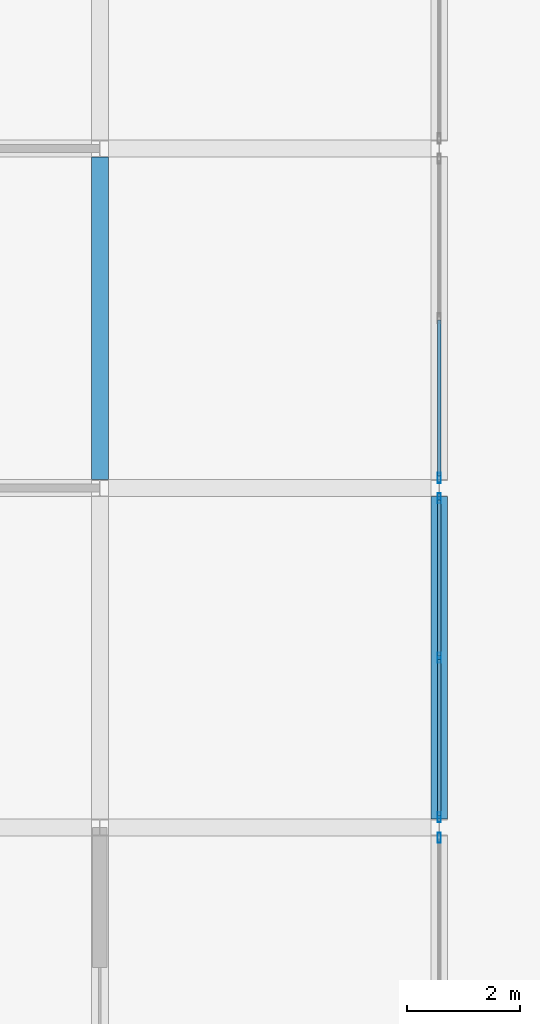
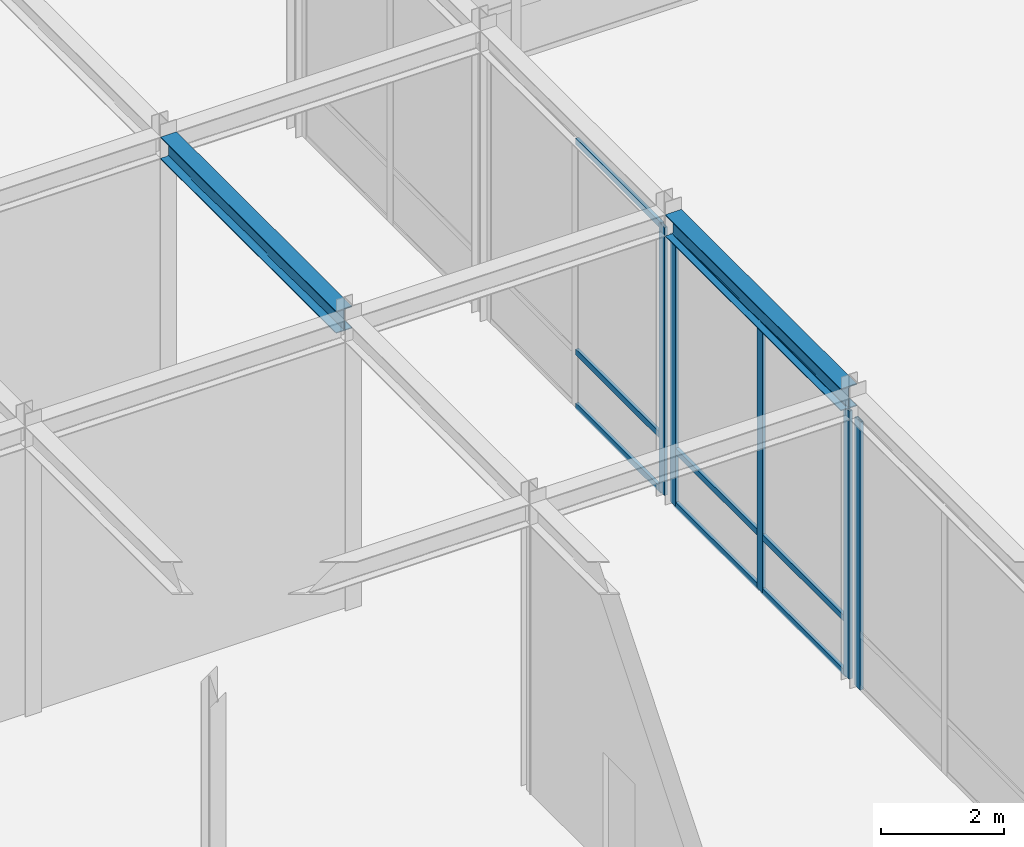
# One storey, part 66 of 108: 14 members, 2 beams, 3 elements without a shape of their own.
"""IFC4 building model written with IfcOpenShell, lengths in metres."""

import ifcopenshell
import ifcopenshell.guid

model = None  # the IFC model being written
_history = None  # IfcOwnerHistory: only IFC2X3 demands one
_inside = {}  # id of a spatial element -> (the spatial element, [elements in it])
_under = {}  # id of a project, library or spatial element -> (it, [spatial elements below it])
_declared = {}  # id of a project -> (the project, [libraries it declares])
_typed = {}  # id of a type object -> (the type object, [elements of that type])
_made_of = {}  # id of a material, layer set ... -> (it, [elements and type objects made of it])


def new_model(schema):
    """Start an empty IFC model of exactly this schema.

    Asked for "IFC4X3", IfcOpenShell would pick the latest addendum, in which some entities
    have other attributes; the version numbers below select the first issue.
    IFC2X3 requires an IfcOwnerHistory on every rooted entity: one is made here for all.
    """
    global model, _history
    if schema == "IFC4X3":
        model = ifcopenshell.file(schema_version=(4, 3, 0, 0))
    else:
        model = ifcopenshell.file(schema=schema)
    _inside.clear()
    _under.clear()
    _declared.clear()
    _typed.clear()
    _made_of.clear()
    _history = None
    if model.schema == "IFC2X3":
        org = make("IfcOrganization", Name="unknown")
        user = make(
            "IfcPersonAndOrganization",
            ThePerson=make("IfcPerson", FamilyName="unknown"),
            TheOrganization=org,
        )
        app = make(
            "IfcApplication",
            ApplicationDeveloper=org,
            Version="unknown",
            ApplicationFullName="unknown",
            ApplicationIdentifier="unknown",
        )
        _history = make(
            "IfcOwnerHistory",
            OwningUser=user,
            OwningApplication=app,
            ChangeAction="ADDED",
            CreationDate=0,
        )
    return model


def make(cls, **values):
    """One entity of the class cls with the attributes given. An attribute that is None is left unset."""
    return model.create_entity(
        cls, **{name: value for name, value in values.items() if value is not None}
    )


def rooted(cls, **values):
    """An entity with a GlobalId (a new one), such as an element, a storey or a relation."""
    return make(cls, GlobalId=ifcopenshell.guid.new(), OwnerHistory=_history, **values)


def si_unit(unit_type, name, prefix=None):
    """IfcSIUnit, for example si_unit("LENGTHUNIT", "METRE", prefix="MILLI")."""
    return make("IfcSIUnit", UnitType=unit_type, Prefix=prefix, Name=name)


def assignment(units):
    """IfcUnitAssignment: the units of a project."""
    return None if units is None else make("IfcUnitAssignment", Units=units)


def point(xyz):
    """IfcCartesianPoint."""
    return None if xyz is None else make("IfcCartesianPoint", Coordinates=xyz)


def direction(xyz):
    """IfcDirection."""
    return None if xyz is None else make("IfcDirection", DirectionRatios=xyz)


def frame(location, z_axis=None, x_axis=None):
    """IfcAxis2Placement3D, a coordinate frame: its origin and axes. An axis left out is left unset."""
    return make(
        "IfcAxis2Placement3D",
        Location=point(location),
        Axis=direction(z_axis),
        RefDirection=direction(x_axis),
    )


def frame_2d(location, x_axis=None):
    """IfcAxis2Placement2D, a coordinate frame in the plane: its origin and x axis."""
    return make(
        "IfcAxis2Placement2D", Location=point(location), RefDirection=direction(x_axis)
    )


def origin():
    """The frame at (0, 0, 0) with its axes left unset."""
    return frame((0.0, 0.0, 0.0))


def origin_2d():
    """The frame at (0, 0) in the plane with its x axis left unset."""
    return frame_2d((0.0, 0.0))


def place(relative_to, where):
    """IfcLocalPlacement: puts the frame where relative to a parent placement (None: the world)."""
    return make(
        "IfcLocalPlacement", PlacementRelTo=relative_to, RelativePlacement=where
    )


def context(
    kind, dimensions, precision=None, world=None, true_north=None, identifier=None
):
    """IfcGeometricRepresentationContext, for example the 3D "Model" context."""
    return make(
        "IfcGeometricRepresentationContext",
        ContextIdentifier=identifier,
        ContextType=kind,
        CoordinateSpaceDimension=dimensions,
        Precision=precision,
        WorldCoordinateSystem=world,
        TrueNorth=true_north,
    )


def subcontext(parent, identifier, kind, view, scale=None):
    """IfcGeometricRepresentationSubContext, for example "Body" below "Model"."""
    return make(
        "IfcGeometricRepresentationSubContext",
        ContextIdentifier=identifier,
        ContextType=kind,
        ParentContext=parent,
        TargetScale=scale,
        TargetView=view,
    )


def project(units=None, contexts=None):
    """IfcProject with its units and contexts."""
    return rooted(
        "IfcProject",
        Name="project",
        RepresentationContexts=contexts,
        UnitsInContext=assignment(units),
    )


def spatial(cls, under=None, at=None, **own):
    """A site, building, storey or space (cls), placed at a placement, below another one or the project."""
    s = rooted(cls, ObjectPlacement=at, **own)
    if under is not None:
        _under.setdefault(under.id(), (under, []))[1].append(s)
    return s


def profile(cls, at=None, kind="AREA", **sizes):
    """A parametric profile (cls). Its sizes go by their IFC names, for example OverallWidth=200.0."""
    return make(cls, ProfileType=kind, Position=at, **sizes)


def hollow_rectangle(**sizes):
    """IfcRectangleHollowProfileDef."""
    return profile("IfcRectangleHollowProfileDef", **sizes)


def i_section(**sizes):
    """IfcIShapeProfileDef."""
    return profile("IfcIShapeProfileDef", **sizes)


def extrude(swept, where, along, depth):
    """IfcExtrudedAreaSolid: the profile swept, set in the frame where, extruded along a direction by depth."""
    return make(
        "IfcExtrudedAreaSolid",
        SweptArea=swept,
        Position=where,
        ExtrudedDirection=direction(along),
        Depth=depth,
    )


def shape(context_of_items, identifier, shape_type, items):
    """IfcShapeRepresentation: the items that make up one representation, for example the "Body"."""
    return make(
        "IfcShapeRepresentation",
        ContextOfItems=context_of_items,
        RepresentationIdentifier=identifier,
        RepresentationType=shape_type,
        Items=items,
    )


def material(Name=None, Category=None):
    """IfcMaterial."""
    return make("IfcMaterial", Name=Name, Category=Category)


def layer(
    of_material, thickness, ventilated=None, Name=None, Category=None, Priority=None
):
    """IfcMaterialLayer: one layer of a wall or slab, of a material (None: an air gap)."""
    return make(
        "IfcMaterialLayer",
        Material=of_material,
        LayerThickness=thickness,
        IsVentilated=ventilated,
        Name=Name,
        Category=Category,
        Priority=Priority,
    )


def layer_set(layers, Name=None):
    """IfcMaterialLayerSet."""
    return make("IfcMaterialLayerSet", MaterialLayers=layers, LayerSetName=Name)


def material_profile(
    of_material, cross_section, Name=None, Category=None, Priority=None
):
    """IfcMaterialProfile: a cross section and its material."""
    return make(
        "IfcMaterialProfile",
        Name=Name,
        Material=of_material,
        Profile=cross_section,
        Priority=Priority,
        Category=Category,
    )


def profile_set(profiles, Name=None, composite=None):
    """IfcMaterialProfileSet."""
    return make(
        "IfcMaterialProfileSet",
        Name=Name,
        MaterialProfiles=profiles,
        CompositeProfile=composite,
    )


def made_of(thing, what):
    """Note that an element or type object is made of a material, layer set ...; save() writes the relation."""
    if what is not None:
        _made_of.setdefault(what.id(), (what, []))[1].append(thing)
    return thing


def type_object(cls, material=None, **own):
    """A type object (cls), such as IfcWallType, which elements share."""
    return made_of(rooted(cls, **own), material)


def element(
    cls,
    number,
    at=None,
    inside=None,
    cuts=None,
    type_object=None,
    material=None,
    context=None,
    identifier="Body",
    shape_type=None,
    held_by="IfcProductDefinitionShape",
    body=None,
    shapes=None,
    **own,
):
    """One element of the class cls, such as IfcWall. Its Tag is "e" and its number.

    at: its placement. inside: the storey or other place that contains it. cuts: it is an
    opening in that element (IfcRelVoidsElement). A single representation is given by context,
    identifier, shape_type and body (its items); several are given by shapes. held_by: the class
    of the entity that holds the representations. save() writes the other relations.
    """
    e = rooted(cls, Tag="e%d" % number, ObjectPlacement=at, **own)
    if body is not None:
        shapes = [shape(context, identifier, shape_type, body)]
    if shapes is not None:
        e.Representation = make(held_by, Representations=shapes)
    if inside is not None:
        _inside.setdefault(inside.id(), (inside, []))[1].append(e)
    if cuts is not None:
        rooted(
            "IfcRelVoidsElement", RelatingBuildingElement=cuts, RelatedOpeningElement=e
        )
    if type_object is not None:
        _typed.setdefault(type_object.id(), (type_object, []))[1].append(e)
    return made_of(e, material)


def aggregate(whole, parts):
    """IfcRelAggregates: a whole, such as a stair, and the parts it consists of."""
    return rooted("IfcRelAggregates", RelatingObject=whole, RelatedObjects=parts)


def save(model, path):
    """Write the relations noted so far, then the file.

    IfcRelAggregates (storeys below a building ...), IfcRelContainedInSpatialStructure (elements
    in a storey), IfcRelDefinesByType, IfcRelAssociatesMaterial and IfcRelDeclares: one each for
    every whole, place, type object, material and project.
    """
    for whole, parts in _under.values():
        aggregate(whole, parts)
    for where, things in _inside.values():
        rooted(
            "IfcRelContainedInSpatialStructure",
            RelatedElements=things,
            RelatingStructure=where,
        )
    for kind, things in _typed.values():
        rooted("IfcRelDefinesByType", RelatedObjects=things, RelatingType=kind)
    for what, things in _made_of.values():
        rooted("IfcRelAssociatesMaterial", RelatedObjects=things, RelatingMaterial=what)
    for by, libraries in _declared.values():
        rooted("IfcRelDeclares", RelatingContext=by, RelatedDefinitions=libraries)
    model.write(path)


model = new_model("IFC4")

# Units and contexts
model_context = context("Model", 3, precision=1e-05, world=origin(), true_north=direction((0.0, 1.0)))
body_context = subcontext(model_context, "Body", "Model", "MODEL_VIEW")
ifc_project = project(units=[si_unit("LENGTHUNIT", "METRE"), si_unit("AREAUNIT", "SQUARE_METRE"), si_unit("VOLUMEUNIT", "CUBIC_METRE"), si_unit("PLANEANGLEUNIT", "RADIAN"), si_unit("MASSUNIT", "GRAM", prefix="KILO")], contexts=[model_context])

# Site, building, storey
site_placement = place(None, origin())
site = spatial("IfcSite", under=ifc_project, at=site_placement, CompositionType="ELEMENT")
building_placement = place(site_placement, origin())
building = spatial("IfcBuilding", under=site, at=building_placement, Name="Zlatovratsky Civic Hall", CompositionType="ELEMENT")
storey_placement = place(building_placement, frame((0.0, 0.0, 6.0)))
storey = spatial("IfcBuildingStorey", under=building, at=storey_placement, Name="L02", CompositionType="ELEMENT", Elevation=6.0)

# Beams
ifc_material_1 = material(Name="Steel S355", Category="steel")
ifc_material_profile_1 = material_profile(ifc_material_1, i_section(OverallWidth=0.300048828125, OverallDepth=0.43994140625, WebThickness=0.010986328125, FlangeThickness=0.01806640625, FilletRadius=0.02197265625, at=origin_2d()), Name="45Sh1")
ifc_profile_set_1 = profile_set([ifc_material_profile_1], Name="Steel S355")
beam_type = type_object("IfcBeamType", Name="Beam_TowerLow_45Sh1", PredefinedType="BEAM", material=ifc_profile_set_1)
for number, where, z_axis, x_axis, name in (
    (1, (114.0, 54.14990234375, 5.5400390625), (0.0, 1.0, 0.0), (-1.0, 0.0, 0.0), "BM-2289"),
    (2, (120.0, 48.14990234375, 5.5400390625), (0.0, 1.0, 0.0), (-1.0, 0.0, 0.0), "BM-2305"),
):
    element("IfcBeam", number, at=place(storey_placement, frame(where, z_axis=z_axis, x_axis=x_axis)), inside=storey, type_object=beam_type, Name=name, PredefinedType="BEAM", context=body_context, shape_type="SweptSolid", body=[
        extrude(i_section(OverallWidth=0.300048828125, OverallDepth=0.43994140625, WebThickness=0.010986328125, FlangeThickness=0.01806640625, FilletRadius=0.02197265625, at=origin_2d()), origin(), (0.0, 0.0, 1.0), 5.7001953125),
    ])

# Curtain wall, member
ifc_material_2 = material(Name="Anodised bronze aluminium", Category="aluminium")
ifc_layer = layer(ifc_material_2, 0.159912109375)
ifc_layer_set = layer_set([ifc_layer], Name="Anodised bronze aluminium")
curtain_wall_type = type_object("IfcCurtainWallType", Name="CurtainWall_Bronze_5700x5310_06", PredefinedType="NOTDEFINED", material=ifc_layer_set)
curtain_wall_1_placement = place(storey_placement, origin())
curtain_wall_1 = element("IfcCurtainWall", 3, at=curtain_wall_1_placement, inside=storey, type_object=curtain_wall_type, Name="CW-035", PredefinedType="NOTDEFINED")
ifc_material_profile_2 = material_profile(ifc_material_2, hollow_rectangle(XDim=0.06005859375, YDim=0.179931640625, WallThickness=0.00390625, at=origin_2d()), Name="ALU 60x180x4")
ifc_profile_set_2 = profile_set([ifc_material_profile_2], Name="Anodised bronze aluminium")
member_type_1 = type_object("IfcMemberType", Name="CW_Mullion_60x180", PredefinedType="MULLION", material=ifc_profile_set_2)
member_1_placement = place(storey_placement, frame((120.0, 47.820068359375, 0.0), z_axis=(0.0, 0.0, 1.0), x_axis=(-1.0, 0.0, 0.0)))
member_1 = element("IfcMember", 4, at=member_1_placement, type_object=member_type_1, Name="CW-06 mullion 3", PredefinedType="MULLION", context=body_context, shape_type="SweptSolid", body=[
    extrude(hollow_rectangle(XDim=0.06005859375, YDim=0.179931640625, WallThickness=0.00390625, at=origin_2d()), origin(), (0.0, 0.0, 1.0), 5.31005859375),
])
aggregate(curtain_wall_1, [member_1])

# Curtain wall, members
curtain_wall_2_placement = place(storey_placement, origin())
curtain_wall_2 = element("IfcCurtainWall", 5, at=curtain_wall_2_placement, inside=storey, type_object=curtain_wall_type, Name="CW-036", PredefinedType="NOTDEFINED")
member_2_placement = place(storey_placement, frame((120.0, 48.179931640625, 0.0), z_axis=(0.0, 0.0, 1.0), x_axis=(-1.0, 0.0, 0.0)))
member_2 = element("IfcMember", 6, at=member_2_placement, type_object=member_type_1, Name="CW-06 mullion 1", PredefinedType="MULLION", context=body_context, shape_type="SweptSolid", body=[
    extrude(hollow_rectangle(XDim=0.06005859375, YDim=0.179931640625, WallThickness=0.00390625, at=origin_2d()), origin(), (0.0, 0.0, 1.0), 5.31005859375),
])
member_3_placement = place(storey_placement, frame((120.0, 51.0, 0.0), z_axis=(0.0, 0.0, 1.0), x_axis=(-1.0, 0.0, 0.0)))
member_3 = element("IfcMember", 7, at=member_3_placement, type_object=member_type_1, Name="CW-06 mullion 2", PredefinedType="MULLION", context=body_context, shape_type="SweptSolid", body=[
    extrude(hollow_rectangle(XDim=0.06005859375, YDim=0.179931640625, WallThickness=0.00390625, at=origin_2d()), origin(), (0.0, 0.0, 1.0), 5.31005859375),
])
member_4_placement = place(storey_placement, frame((120.0, 53.820068359375, 0.0), z_axis=(0.0, 0.0, 1.0), x_axis=(-1.0, 0.0, 0.0)))
member_4 = element("IfcMember", 8, at=member_4_placement, type_object=member_type_1, Name="CW-06 mullion 3", PredefinedType="MULLION", context=body_context, shape_type="SweptSolid", body=[
    extrude(hollow_rectangle(XDim=0.06005859375, YDim=0.179931640625, WallThickness=0.00390625, at=origin_2d()), origin(), (0.0, 0.0, 1.0), 5.31005859375),
])

# Curtain wall, member
curtain_wall_3_placement = place(storey_placement, origin())
curtain_wall_3 = element("IfcCurtainWall", 9, at=curtain_wall_3_placement, inside=storey, type_object=curtain_wall_type, Name="CW-037", PredefinedType="NOTDEFINED")
member_5_placement = place(storey_placement, frame((120.0, 54.179931640625, 0.0), z_axis=(0.0, 0.0, 1.0), x_axis=(-1.0, 0.0, 0.0)))
member_5 = element("IfcMember", 10, at=member_5_placement, type_object=member_type_1, Name="CW-06 mullion 1", PredefinedType="MULLION", context=body_context, shape_type="SweptSolid", body=[
    extrude(hollow_rectangle(XDim=0.06005859375, YDim=0.179931640625, WallThickness=0.00390625, at=origin_2d()), origin(), (0.0, 0.0, 1.0), 5.31005859375),
])

# Member
ifc_material_profile_3 = material_profile(ifc_material_2, hollow_rectangle(XDim=0.06005859375, YDim=0.1201171875, WallThickness=0.00390625, at=origin_2d()), Name="ALU 60x120x4")
ifc_profile_set_3 = profile_set([ifc_material_profile_3], Name="Anodised bronze aluminium")
member_type_2 = type_object("IfcMemberType", Name="CW_Transom_60x120", PredefinedType="USERDEFINED", material=ifc_profile_set_3)
member_6_placement = place(storey_placement, frame((120.0, 48.2099609375, 0.030029296875), z_axis=(0.0, 1.0, 0.0), x_axis=(-1.0, 0.0, 0.0)))
member_6 = element("IfcMember", 11, at=member_6_placement, type_object=member_type_2, Name="CW-06 transom 1.1", ObjectType="TRANSOM", PredefinedType="USERDEFINED", context=body_context, shape_type="SweptSolid", body=[
    extrude(hollow_rectangle(XDim=0.06005859375, YDim=0.1201171875, WallThickness=0.00390625, at=origin_2d()), origin(), (0.0, 0.0, 1.0), 2.760009765625),
])

member_7_placement = place(storey_placement, frame((120.0, 48.2099609375, 1.10009765625), z_axis=(0.0, 1.0, 0.0), x_axis=(-1.0, 0.0, 0.0)))
member_7 = element("IfcMember", 12, at=member_7_placement, type_object=member_type_2, Name="CW-06 transom 1.2", ObjectType="TRANSOM", PredefinedType="USERDEFINED", context=body_context, shape_type="SweptSolid", body=[
    extrude(hollow_rectangle(XDim=0.06005859375, YDim=0.1201171875, WallThickness=0.00390625, at=origin_2d()), origin(), (0.0, 0.0, 1.0), 2.760009765625),
])

member_8_placement = place(storey_placement, frame((120.0, 48.2099609375, 5.280029296875), z_axis=(0.0, 1.0, 0.0), x_axis=(-1.0, 0.0, 0.0)))
member_8 = element("IfcMember", 13, at=member_8_placement, type_object=member_type_2, Name="CW-06 transom 1.3", ObjectType="TRANSOM", PredefinedType="USERDEFINED", context=body_context, shape_type="SweptSolid", body=[
    extrude(hollow_rectangle(XDim=0.06005859375, YDim=0.1201171875, WallThickness=0.00390625, at=origin_2d()), origin(), (0.0, 0.0, 1.0), 2.760009765625),
])

member_9_placement = place(storey_placement, frame((120.0, 51.030029296875, 0.030029296875), z_axis=(0.0, 1.0, 0.0), x_axis=(-1.0, 0.0, 0.0)))
member_9 = element("IfcMember", 14, at=member_9_placement, type_object=member_type_2, Name="CW-06 transom 2.1", ObjectType="TRANSOM", PredefinedType="USERDEFINED", context=body_context, shape_type="SweptSolid", body=[
    extrude(hollow_rectangle(XDim=0.06005859375, YDim=0.1201171875, WallThickness=0.00390625, at=origin_2d()), origin(), (0.0, 0.0, 1.0), 2.760009765625),
])

member_10_placement = place(storey_placement, frame((120.0, 51.030029296875, 1.10009765625), z_axis=(0.0, 1.0, 0.0), x_axis=(-1.0, 0.0, 0.0)))
member_10 = element("IfcMember", 15, at=member_10_placement, type_object=member_type_2, Name="CW-06 transom 2.2", ObjectType="TRANSOM", PredefinedType="USERDEFINED", context=body_context, shape_type="SweptSolid", body=[
    extrude(hollow_rectangle(XDim=0.06005859375, YDim=0.1201171875, WallThickness=0.00390625, at=origin_2d()), origin(), (0.0, 0.0, 1.0), 2.760009765625),
])

member_11_placement = place(storey_placement, frame((120.0, 51.030029296875, 5.280029296875), z_axis=(0.0, 1.0, 0.0), x_axis=(-1.0, 0.0, 0.0)))
member_11 = element("IfcMember", 16, at=member_11_placement, type_object=member_type_2, Name="CW-06 transom 2.3", ObjectType="TRANSOM", PredefinedType="USERDEFINED", context=body_context, shape_type="SweptSolid", body=[
    extrude(hollow_rectangle(XDim=0.06005859375, YDim=0.1201171875, WallThickness=0.00390625, at=origin_2d()), origin(), (0.0, 0.0, 1.0), 2.760009765625),
])

aggregate(curtain_wall_2, [member_2, member_3, member_4, member_6, member_7, member_8, member_9, member_10, member_11])

member_12_placement = place(storey_placement, frame((120.0, 54.2099609375, 0.030029296875), z_axis=(0.0, 1.0, 0.0), x_axis=(-1.0, 0.0, 0.0)))
member_12 = element("IfcMember", 17, at=member_12_placement, type_object=member_type_2, Name="CW-06 transom 1.1", ObjectType="TRANSOM", PredefinedType="USERDEFINED", context=body_context, shape_type="SweptSolid", body=[
    extrude(hollow_rectangle(XDim=0.06005859375, YDim=0.1201171875, WallThickness=0.00390625, at=origin_2d()), origin(), (0.0, 0.0, 1.0), 2.760009765625),
])

member_13_placement = place(storey_placement, frame((120.0, 54.2099609375, 1.10009765625), z_axis=(0.0, 1.0, 0.0), x_axis=(-1.0, 0.0, 0.0)))
member_13 = element("IfcMember", 18, at=member_13_placement, type_object=member_type_2, Name="CW-06 transom 1.2", ObjectType="TRANSOM", PredefinedType="USERDEFINED", context=body_context, shape_type="SweptSolid", body=[
    extrude(hollow_rectangle(XDim=0.06005859375, YDim=0.1201171875, WallThickness=0.00390625, at=origin_2d()), origin(), (0.0, 0.0, 1.0), 2.760009765625),
])

member_14_placement = place(storey_placement, frame((120.0, 54.2099609375, 5.280029296875), z_axis=(0.0, 1.0, 0.0), x_axis=(-1.0, 0.0, 0.0)))
member_14 = element("IfcMember", 19, at=member_14_placement, type_object=member_type_2, Name="CW-06 transom 1.3", ObjectType="TRANSOM", PredefinedType="USERDEFINED", context=body_context, shape_type="SweptSolid", body=[
    extrude(hollow_rectangle(XDim=0.06005859375, YDim=0.1201171875, WallThickness=0.00390625, at=origin_2d()), origin(), (0.0, 0.0, 1.0), 2.760009765625),
])

aggregate(curtain_wall_3, [member_5, member_12, member_13, member_14])

save(model, "model.ifc")
